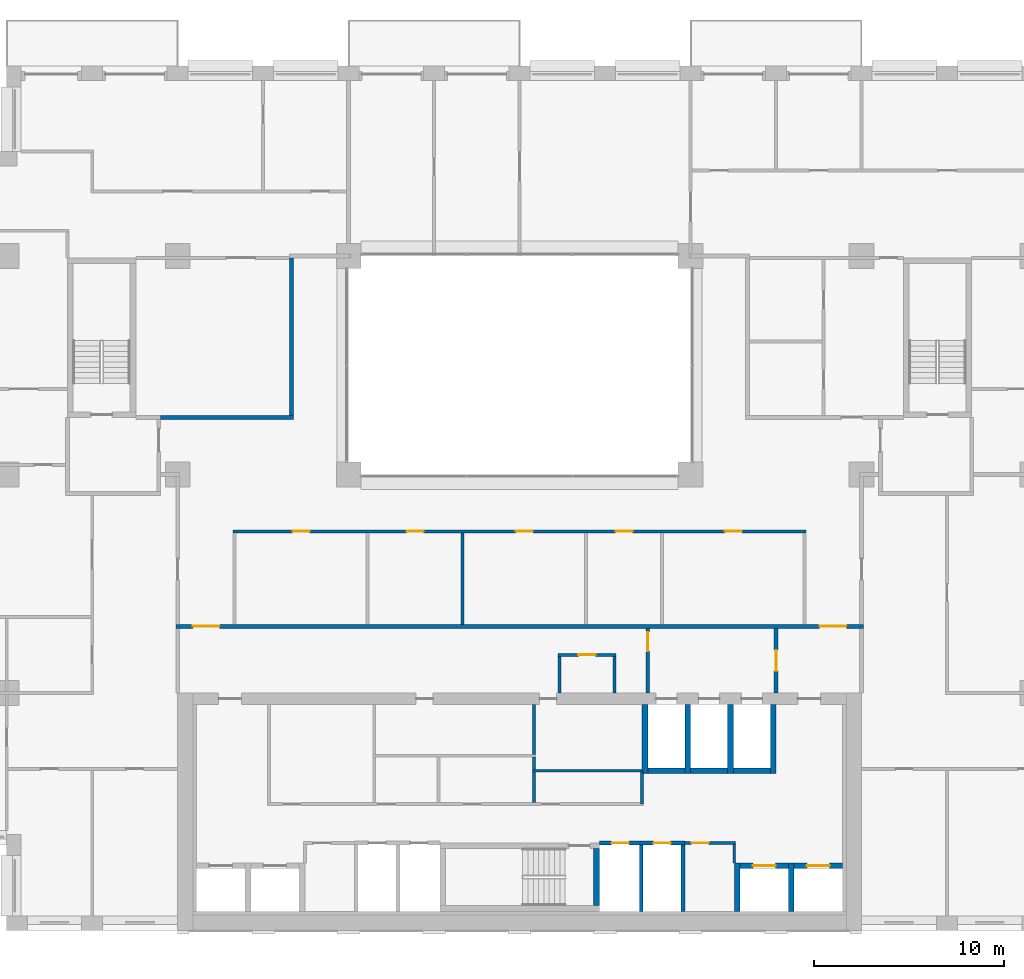
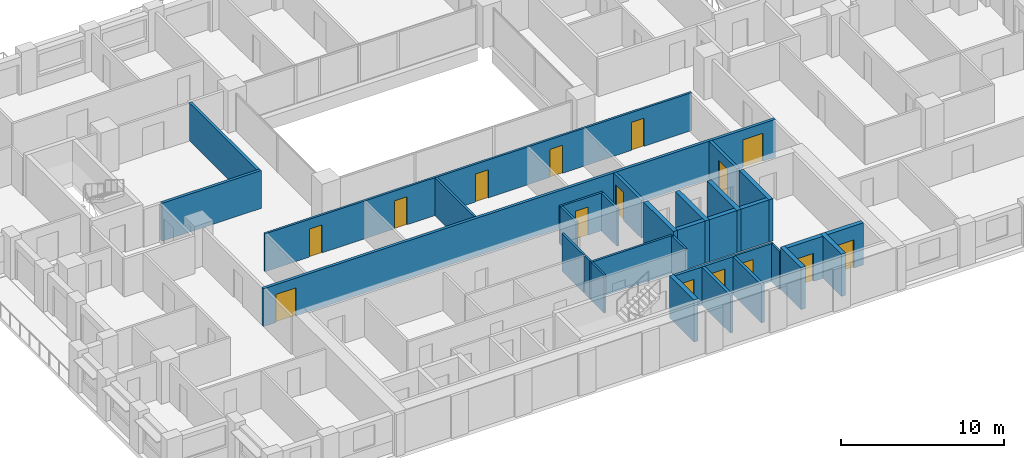
# One storey, part 10 of 16: 32 walls, 15 doors, 15 openings.
"""IFC4 building model written with IfcOpenShell, lengths in metres."""

from ifc_helpers import new_model, si_unit, direction, frame, frame_2d, origin, place, context, subcontext, project, spatial, rectangle, extrude, material, layer, layer_set, type_object, element, fill, save


model = new_model("IFC4")

# Units and contexts
model_context = context("Model", 3, precision=1e-05, world=origin(), true_north=direction((0.0, 1.0)))
body_context = subcontext(model_context, "Body", "Model", "MODEL_VIEW")
ifc_project = project(units=[si_unit("LENGTHUNIT", "METRE"), si_unit("AREAUNIT", "SQUARE_METRE"), si_unit("VOLUMEUNIT", "CUBIC_METRE"), si_unit("PLANEANGLEUNIT", "RADIAN"), si_unit("MASSUNIT", "GRAM", prefix="KILO")], contexts=[model_context])

# Site, building, storey
site_placement = place(None, origin())
site = spatial("IfcSite", under=ifc_project, at=site_placement, CompositionType="ELEMENT")
building_placement = place(site_placement, origin())
building = spatial("IfcBuilding", under=site, at=building_placement, Name="Brigalow Station Residences", CompositionType="ELEMENT")
storey_placement = place(building_placement, frame((0.0, 0.0, 121.35009765625)))
storey = spatial("IfcBuildingStorey", under=building, at=storey_placement, Name="L35", CompositionType="ELEMENT", Elevation=121.35009765625)

# Walls
ifc_material_1 = material(Name="Concrete C65", Category="concrete")
ifc_layer_1 = layer(ifc_material_1, 0.300048828125)
ifc_layer_set_1 = layer_set([ifc_layer_1], Name="CORE SHEAR WALL 300 C65")
wall_type_1 = type_object("IfcWallType", Name="CORE SHEAR WALL 300 C65", PredefinedType="SHEAR", material=ifc_layer_set_1)
wall_1_placement = place(storey_placement, frame((42.75, 8.39990234375, 0.0), z_axis=(0.0, 0.0, 1.0), x_axis=(1.0, 0.0, 0.0)))
element("IfcWall", 1, at=wall_1_placement, inside=storey, type_object=wall_type_1, Name="CORE WALL SH-FF1-S L35", PredefinedType="SHEAR", context=body_context, shape_type="SweptSolid", body=[
    extrude(rectangle(XDim=1.949951171875, YDim=0.300048828125, at=frame_2d((0.97509765625, 0.0))), origin(), (0.0, 0.0, 1.0), 3.14990234375),
])
wall_2_placement = place(storey_placement, frame((42.60009765625, 8.25, 0.0), z_axis=(0.0, 0.0, 1.0), x_axis=(0.0, 1.0, 0.0)))
element("IfcWall", 2, at=wall_2_placement, inside=storey, type_object=wall_type_1, Name="CORE WALL SH-FF1-W L35", PredefinedType="SHEAR", context=body_context, shape_type="SweptSolid", body=[
    extrude(rectangle(XDim=3.64990234375, YDim=0.300048828125, at=frame_2d((1.824951171875, 0.0))), origin(), (0.0, 0.0, 1.0), 3.14990234375),
])
wall_3_placement = place(storey_placement, frame((45.0, 8.39990234375, 0.0), z_axis=(0.0, 0.0, 1.0), x_axis=(1.0, 0.0, 0.0)))
element("IfcWall", 3, at=wall_3_placement, inside=storey, type_object=wall_type_1, Name="CORE WALL SH-FF2-S L35", PredefinedType="SHEAR", context=body_context, shape_type="SweptSolid", body=[
    extrude(rectangle(XDim=1.949951171875, YDim=0.300048828125, at=frame_2d((0.97509765625, 0.0))), origin(), (0.0, 0.0, 1.0), 3.14990234375),
])
wall_4_placement = place(storey_placement, frame((44.85009765625, 8.25, 0.0), z_axis=(0.0, 0.0, 1.0), x_axis=(0.0, 1.0, 0.0)))
element("IfcWall", 4, at=wall_4_placement, inside=storey, type_object=wall_type_1, Name="CORE WALL SH-FF2-W L35", PredefinedType="SHEAR", context=body_context, shape_type="SweptSolid", body=[
    extrude(rectangle(XDim=3.64990234375, YDim=0.300048828125, at=frame_2d((1.824951171875, 0.0))), origin(), (0.0, 0.0, 1.0), 3.14990234375),
])
wall_5_placement = place(storey_placement, frame((47.25, 8.39990234375, 0.0), z_axis=(0.0, 0.0, 1.0), x_axis=(1.0, 0.0, 0.0)))
element("IfcWall", 5, at=wall_5_placement, inside=storey, type_object=wall_type_1, Name="CORE WALL SH-SL1-S L35", PredefinedType="SHEAR", context=body_context, shape_type="SweptSolid", body=[
    extrude(rectangle(XDim=1.949951171875, YDim=0.300048828125, at=frame_2d((0.97509765625, 0.0))), origin(), (0.0, 0.0, 1.0), 3.14990234375),
])
for number, where, z_axis, x_axis, name in (
    (6, (47.10009765625, 8.25, 0.0), (0.0, 0.0, 1.0), (0.0, 1.0, 0.0), "CORE WALL SH-SL1-W L35"),
    (7, (49.35009765625, 8.25, 0.0), (0.0, 0.0, 1.0), (0.0, 1.0, 0.0), "CORE WALL SH-SL1-E L35"),
):
    element("IfcWall", number, at=place(storey_placement, frame(where, z_axis=z_axis, x_axis=x_axis)), inside=storey, type_object=wall_type_1, Name=name, PredefinedType="SHEAR", context=body_context, shape_type="SweptSolid", body=[
        extrude(rectangle(XDim=3.64990234375, YDim=0.300048828125, at=frame_2d((1.824951171875, 0.0))), origin(), (0.0, 0.0, 1.0), 3.14990234375),
    ])

# Wall, opening, door
wall_6_placement = place(storey_placement, frame((47.60009765625, 3.39990234375, 0.0), z_axis=(0.0, 0.0, 1.0), x_axis=(1.0, 0.0, 0.0)))
wall_6 = element("IfcWall", 8, at=wall_6_placement, inside=storey, type_object=wall_type_1, Name="CORE WALL SH-C3-N L35", PredefinedType="SHEAR", context=body_context, shape_type="SweptSolid", body=[
    extrude(rectangle(XDim=2.5498046875, YDim=0.300048828125, at=frame_2d((1.27490234375, 0.0))), origin(), (0.0, 0.0, 1.0), 3.14990234375),
])
opening_1_placement = place(wall_6_placement, frame((0.675048828125, 0.0, 0.0)))
opening_1 = element("IfcOpeningElement", 9, at=opening_1_placement, cuts=wall_6, Name="Opening LD-LB3", PredefinedType="OPENING", context=body_context, shape_type="SweptSolid", body=[
    extrude(rectangle(XDim=1.199951171875, YDim=2.10009765625, at=frame_2d((0.60009765625, 1.050048828125))), frame((0.0, 0.16015625, 0.0), z_axis=(0.0, -1.0, 0.0), x_axis=(1.0, 0.0, 0.0)), (0.0, 0.0, 1.0), 0.320068359375),
])
ifc_material_2 = material(Name="Stainless steel sliding door leaves", Category="steel")
door_type_1 = type_object("IfcDoorType", Name="LIFT LANDING DOOR 1200 x 2100", OperationType="DOUBLE_DOOR_SLIDING", PredefinedType="DOOR", material=ifc_material_2)
door_1_placement = place(opening_1_placement, origin())
door_1 = element("IfcDoor", 10, at=door_1_placement, inside=storey, type_object=door_type_1, Name="LANDING DOOR LB3", OperationType="DOUBLE_DOOR_SLIDING", OverallHeight=2.10009765625, OverallWidth=1.199951171875, PredefinedType="DOOR", context=body_context, shape_type="SweptSolid", body=[
    extrude(rectangle(XDim=1.199951171875, YDim=2.10009765625, at=frame_2d((0.60009765625, 1.050048828125))), frame((0.0, 0.02490234375, 0.0), z_axis=(0.0, -1.0, 0.0), x_axis=(1.0, 0.0, 0.0)), (0.0, 0.0, 1.0), 0.050048828125),
])
fill(opening_1, door_1)

# Wall
wall_7_placement = place(storey_placement, frame((47.449951171875, 1.0, 0.0), z_axis=(0.0, 0.0, 1.0), x_axis=(0.0, 1.0, 0.0)))
element("IfcWall", 11, at=wall_7_placement, inside=storey, type_object=wall_type_1, Name="CORE WALL SH-C3-W L35", PredefinedType="SHEAR", context=body_context, shape_type="SweptSolid", body=[
    extrude(rectangle(XDim=2.550048828125, YDim=0.300048828125, at=frame_2d((1.27490234375, 0.0))), origin(), (0.0, 0.0, 1.0), 3.14990234375),
])

# Wall, opening, door
wall_8_placement = place(storey_placement, frame((50.449951171875, 3.39990234375, 0.0), z_axis=(0.0, 0.0, 1.0), x_axis=(1.0, 0.0, 0.0)))
wall_8 = element("IfcWall", 12, at=wall_8_placement, inside=storey, type_object=wall_type_1, Name="CORE WALL SH-C4-N L35", PredefinedType="SHEAR", context=body_context, shape_type="SweptSolid", body=[
    extrude(rectangle(XDim=2.550048828125, YDim=0.300048828125, at=frame_2d((1.27490234375, 0.0))), origin(), (0.0, 0.0, 1.0), 3.14990234375),
])
opening_2_placement = place(wall_8_placement, frame((0.675048828125, 0.0, 0.0)))
opening_2 = element("IfcOpeningElement", 13, at=opening_2_placement, cuts=wall_8, Name="Opening LD-LB4", PredefinedType="OPENING", context=body_context, shape_type="SweptSolid", body=[
    extrude(rectangle(XDim=1.199951171875, YDim=2.10009765625, at=frame_2d((0.60009765625, 1.050048828125))), frame((0.0, 0.16015625, 0.0), z_axis=(0.0, -1.0, 0.0), x_axis=(1.0, 0.0, 0.0)), (0.0, 0.0, 1.0), 0.320068359375),
])
door_2_placement = place(opening_2_placement, origin())
door_2 = element("IfcDoor", 14, at=door_2_placement, inside=storey, type_object=door_type_1, Name="LANDING DOOR LB4", OperationType="DOUBLE_DOOR_SLIDING", OverallHeight=2.10009765625, OverallWidth=1.199951171875, PredefinedType="DOOR", context=body_context, shape_type="SweptSolid", body=[
    extrude(rectangle(XDim=1.199951171875, YDim=2.10009765625, at=frame_2d((0.60009765625, 1.050048828125))), frame((0.0, 0.02490234375, 0.0), z_axis=(0.0, -1.0, 0.0), x_axis=(1.0, 0.0, 0.0)), (0.0, 0.0, 1.0), 0.050048828125),
])
fill(opening_2, door_2)

# Walls
wall_9_placement = place(storey_placement, frame((50.300048828125, 1.0, 0.0), z_axis=(0.0, 0.0, 1.0), x_axis=(0.0, 1.0, 0.0)))
element("IfcWall", 15, at=wall_9_placement, inside=storey, type_object=wall_type_1, Name="CORE WALL SH-C4-W L35", PredefinedType="SHEAR", context=body_context, shape_type="SweptSolid", body=[
    extrude(rectangle(XDim=2.550048828125, YDim=0.300048828125, at=frame_2d((1.27490234375, 0.0))), origin(), (0.0, 0.0, 1.0), 3.14990234375),
])
wall_10_placement = place(storey_placement, frame((40.050048828125, 1.300048828125, 0.0), z_axis=(0.0, 0.0, 1.0), x_axis=(0.0, 1.0, 0.0)))
element("IfcWall", 16, at=wall_10_placement, inside=storey, type_object=wall_type_1, Name="CORE WALL ST-S2-E L35", PredefinedType="SHEAR", context=body_context, shape_type="SweptSolid", body=[
    extrude(rectangle(XDim=3.0, YDim=0.300048828125, at=frame_2d((1.5, 0.0))), origin(), (0.0, 0.0, 1.0), 3.14990234375),
])

# Wall, openings, doors
ifc_material_3 = material(Name="Concrete blockwork", Category="masonry")
ifc_layer_2 = layer(ifc_material_3, 0.199951171875)
ifc_layer_set_2 = layer_set([ifc_layer_2], Name="FIRE RATED CORE PARTITION 200")
wall_type_2 = type_object("IfcWallType", Name="FIRE RATED CORE PARTITION 200", PredefinedType="PARTITIONING", material=ifc_layer_set_2)
wall_11_placement = place(storey_placement, frame((40.199951171875, 4.60009765625, 0.0), z_axis=(0.0, 0.0, 1.0), x_axis=(1.0, 0.0, 0.0)))
wall_11 = element("IfcWall", 17, at=wall_11_placement, inside=storey, type_object=wall_type_2, Name="PW-5018", PredefinedType="PARTITIONING", context=body_context, shape_type="SweptSolid", body=[
    extrude(rectangle(XDim=4.5, YDim=0.199951171875, at=frame_2d((2.25, 0.0))), origin(), (0.0, 0.0, 1.0), 2.829833984375),
])
opening_3_placement = place(wall_11_placement, frame((0.64990234375, 0.0, 0.0)))
opening_3 = element("IfcOpeningElement", 18, at=opening_3_placement, cuts=wall_11, Name="Opening D-5009", PredefinedType="OPENING", context=body_context, shape_type="SweptSolid", body=[
    extrude(rectangle(XDim=0.89990234375, YDim=2.10009765625, at=frame_2d((0.449951171875, 1.050048828125))), frame((0.0, 0.10986328125, 0.0), z_axis=(0.0, -1.0, 0.0), x_axis=(1.0, 0.0, 0.0)), (0.0, 0.0, 1.0), 0.219970703125),
])
opening_4_placement = place(wall_11_placement, frame((2.85009765625, 0.0, 0.0)))
opening_4 = element("IfcOpeningElement", 19, at=opening_4_placement, cuts=wall_11, Name="Opening D-5010", PredefinedType="OPENING", context=body_context, shape_type="SweptSolid", body=[
    extrude(rectangle(XDim=0.89990234375, YDim=2.10009765625, at=frame_2d((0.449951171875, 1.050048828125))), frame((0.0, 0.10986328125, 0.0), z_axis=(0.0, -1.0, 0.0), x_axis=(1.0, 0.0, 0.0)), (0.0, 0.0, 1.0), 0.219970703125),
])
ifc_material_4 = material(Name="Steel fire door leaf in steel frame", Category="steel")
door_type_2 = type_object("IfcDoorType", Name="RISER ACCESS DOOR 900 x 2100 FD120", OperationType="SINGLE_SWING_LEFT", PredefinedType="DOOR", material=ifc_material_4)
door_3_placement = place(opening_3_placement, frame((0.89990234375, 0.0, 0.0), z_axis=(0.0, 0.0, 1.0), x_axis=(-1.0, 0.0, 0.0)))
door_3 = element("IfcDoor", 20, at=door_3_placement, inside=storey, type_object=door_type_2, Name="D-5009", OperationType="SINGLE_SWING_LEFT", OverallHeight=2.10009765625, OverallWidth=0.89990234375, PredefinedType="DOOR", context=body_context, shape_type="SweptSolid", body=[
    extrude(rectangle(XDim=0.89990234375, YDim=2.10009765625, at=frame_2d((0.449951171875, 1.050048828125))), frame((0.0, 0.02490234375, 0.0), z_axis=(0.0, -1.0, 0.0), x_axis=(1.0, 0.0, 0.0)), (0.0, 0.0, 1.0), 0.050048828125),
])
fill(opening_3, door_3)
door_4_placement = place(opening_4_placement, frame((0.89990234375, 0.0, 0.0), z_axis=(0.0, 0.0, 1.0), x_axis=(-1.0, 0.0, 0.0)))
door_4 = element("IfcDoor", 21, at=door_4_placement, inside=storey, type_object=door_type_2, Name="D-5010", OperationType="SINGLE_SWING_LEFT", OverallHeight=2.10009765625, OverallWidth=0.89990234375, PredefinedType="DOOR", context=body_context, shape_type="SweptSolid", body=[
    extrude(rectangle(XDim=0.89990234375, YDim=2.10009765625, at=frame_2d((0.449951171875, 1.050048828125))), frame((0.0, 0.02490234375, 0.0), z_axis=(0.0, -1.0, 0.0), x_axis=(1.0, 0.0, 0.0)), (0.0, 0.0, 1.0), 0.050048828125),
])
fill(opening_4, door_4)

# Walls
for number, where, z_axis, x_axis, name in (
    (22, (42.39990234375, 1.0, 0.0), (0.0, 0.0, 1.0), (0.0, 1.0, 0.0), "PW-5007"),
    (23, (44.60009765625, 1.0, 0.0), (0.0, 0.0, 1.0), (0.0, 1.0, 0.0), "PW-5008"),
):
    element("IfcWall", number, at=place(storey_placement, frame(where, z_axis=z_axis, x_axis=x_axis)), inside=storey, type_object=wall_type_2, Name=name, PredefinedType="PARTITIONING", context=body_context, shape_type="SweptSolid", body=[
        extrude(rectangle(XDim=3.5, YDim=0.199951171875, at=frame_2d((1.75, 0.0))), origin(), (0.0, 0.0, 1.0), 2.829833984375),
    ])

# Wall, opening, door
wall_12_placement = place(storey_placement, frame((42.75, 12.5, 0.0), z_axis=(0.0, 0.0, 1.0), x_axis=(0.0, 1.0, 0.0)))
wall_12 = element("IfcWall", 24, at=wall_12_placement, inside=storey, type_object=wall_type_2, Name="PW-5014", PredefinedType="PARTITIONING", context=body_context, shape_type="SweptSolid", body=[
    extrude(rectangle(XDim=3.39990234375, YDim=0.199951171875, at=frame_2d((1.699951171875, 0.0))), origin(), (0.0, 0.0, 1.0), 2.829833984375),
])
opening_5_placement = place(wall_12_placement, frame((2.199951171875, 0.0, 0.0)))
opening_5 = element("IfcOpeningElement", 25, at=opening_5_placement, cuts=wall_12, Name="Opening D-5013", PredefinedType="OPENING", context=body_context, shape_type="SweptSolid", body=[
    extrude(rectangle(XDim=1.0, YDim=2.10009765625, at=frame_2d((0.5, 1.050048828125))), frame((0.0, 0.10986328125, 0.0), z_axis=(0.0, -1.0, 0.0), x_axis=(1.0, 0.0, 0.0)), (0.0, 0.0, 1.0), 0.219970703125),
])
ifc_material_5 = material(Name="Steel fire door leaf in steel frame", Category="steel")
door_type_3 = type_object("IfcDoorType", Name="LOBBY DOOR 1000 x 2100 FD60S", OperationType="SINGLE_SWING_LEFT", PredefinedType="DOOR", material=ifc_material_5)
door_5_placement = place(opening_5_placement, origin())
door_5 = element("IfcDoor", 26, at=door_5_placement, inside=storey, type_object=door_type_3, Name="D-5013", OperationType="SINGLE_SWING_RIGHT", OverallHeight=2.10009765625, OverallWidth=1.0, PredefinedType="DOOR", context=body_context, shape_type="SweptSolid", body=[
    extrude(rectangle(XDim=1.0, YDim=2.10009765625, at=frame_2d((0.5, 1.050048828125))), frame((0.0, 0.02490234375, 0.0), z_axis=(0.0, -1.0, 0.0), x_axis=(1.0, 0.0, 0.0)), (0.0, 0.0, 1.0), 0.050048828125),
])
fill(opening_5, door_5)

wall_13_placement = place(storey_placement, frame((49.5, 12.5, 0.0), z_axis=(0.0, 0.0, 1.0), x_axis=(0.0, 1.0, 0.0)))
wall_13 = element("IfcWall", 27, at=wall_13_placement, inside=storey, type_object=wall_type_2, Name="PW-5015", PredefinedType="PARTITIONING", context=body_context, shape_type="SweptSolid", body=[
    extrude(rectangle(XDim=3.39990234375, YDim=0.199951171875, at=frame_2d((1.699951171875, 0.0))), origin(), (0.0, 0.0, 1.0), 2.829833984375),
])
opening_6_placement = place(wall_13_placement, frame((1.14990234375, 0.0, 0.0)))
opening_6 = element("IfcOpeningElement", 28, at=opening_6_placement, cuts=wall_13, Name="Opening D-5014", PredefinedType="OPENING", context=body_context, shape_type="SweptSolid", body=[
    extrude(rectangle(XDim=1.10009765625, YDim=2.10009765625, at=frame_2d((0.550048828125, 1.050048828125))), frame((0.0, 0.10986328125, 0.0), z_axis=(0.0, -1.0, 0.0), x_axis=(1.0, 0.0, 0.0)), (0.0, 0.0, 1.0), 0.219970703125),
])
ifc_material_6 = material(Name="Steel fire door leaf in steel frame", Category="steel")
door_type_4 = type_object("IfcDoorType", Name="LOBBY DOOR 1100 x 2100 FD60S", OperationType="SINGLE_SWING_LEFT", PredefinedType="DOOR", material=ifc_material_6)
door_6_placement = place(opening_6_placement, origin())
door_6 = element("IfcDoor", 29, at=door_6_placement, inside=storey, type_object=door_type_4, Name="D-5014", OperationType="SINGLE_SWING_LEFT", OverallHeight=2.10009765625, OverallWidth=1.10009765625, PredefinedType="DOOR", context=body_context, shape_type="SweptSolid", body=[
    extrude(rectangle(XDim=1.10009765625, YDim=2.10009765625, at=frame_2d((0.550048828125, 1.050048828125))), frame((0.0, 0.02490234375, 0.0), z_axis=(0.0, -1.0, 0.0), x_axis=(1.0, 0.0, 0.0)), (0.0, 0.0, 1.0), 0.050048828125),
])
fill(opening_6, door_6)

# Wall, openings, doors
ifc_material_7 = material(Name="Plasterboard on steel stud partition", Category="steel")
ifc_layer_3 = layer(ifc_material_7, 0.14990234375)
ifc_layer_set_3 = layer_set([ifc_layer_3], Name="FLAT PARTITION 150")
wall_type_3 = type_object("IfcWallType", Name="FLAT PARTITION 150", PredefinedType="PARTITIONING", material=ifc_layer_set_3)
wall_14_placement = place(storey_placement, frame((20.925048828125, 21.0, 0.0), z_axis=(0.0, 0.0, 1.0), x_axis=(1.0, 0.0, 0.0)))
wall_14 = element("IfcWall", 30, at=wall_14_placement, inside=storey, type_object=wall_type_3, Name="PW-2E01", PredefinedType="PARTITIONING", context=body_context, shape_type="SweptSolid", body=[
    extrude(rectangle(XDim=30.14990234375, YDim=0.14990234375, at=frame_2d((15.074951171875, 0.0))), origin(), (0.0, 0.0, 1.0), 2.829833984375),
])
opening_7_placement = place(wall_14_placement, frame((3.125, 0.0, 0.0)))
opening_7 = element("IfcOpeningElement", 31, at=opening_7_placement, cuts=wall_14, Name="Opening D-2E45", PredefinedType="OPENING", context=body_context, shape_type="SweptSolid", body=[
    extrude(rectangle(XDim=0.89990234375, YDim=2.10009765625, at=frame_2d((0.449951171875, 1.050048828125))), frame((0.0, 0.0849609375, 0.0), z_axis=(0.0, -1.0, 0.0), x_axis=(1.0, 0.0, 0.0)), (0.0, 0.0, 1.0), 0.169921875),
])
opening_8_placement = place(wall_14_placement, frame((9.125, 0.0, 0.0)))
opening_8 = element("IfcOpeningElement", 32, at=opening_8_placement, cuts=wall_14, Name="Opening D-2E46", PredefinedType="OPENING", context=body_context, shape_type="SweptSolid", body=[
    extrude(rectangle(XDim=0.89990234375, YDim=2.10009765625, at=frame_2d((0.449951171875, 1.050048828125))), frame((0.0, 0.0849609375, 0.0), z_axis=(0.0, -1.0, 0.0), x_axis=(1.0, 0.0, 0.0)), (0.0, 0.0, 1.0), 0.169921875),
])
opening_9_placement = place(wall_14_placement, frame((14.875, 0.0, 0.0)))
opening_9 = element("IfcOpeningElement", 33, at=opening_9_placement, cuts=wall_14, Name="Opening D-2E47", PredefinedType="OPENING", context=body_context, shape_type="SweptSolid", body=[
    extrude(rectangle(XDim=0.89990234375, YDim=2.10009765625, at=frame_2d((0.449951171875, 1.050048828125))), frame((0.0, 0.0849609375, 0.0), z_axis=(0.0, -1.0, 0.0), x_axis=(1.0, 0.0, 0.0)), (0.0, 0.0, 1.0), 0.169921875),
])
opening_10_placement = place(wall_14_placement, frame((20.125, 0.0, 0.0)))
opening_10 = element("IfcOpeningElement", 34, at=opening_10_placement, cuts=wall_14, Name="Opening D-2E48", PredefinedType="OPENING", context=body_context, shape_type="SweptSolid", body=[
    extrude(rectangle(XDim=0.89990234375, YDim=2.10009765625, at=frame_2d((0.449951171875, 1.050048828125))), frame((0.0, 0.0849609375, 0.0), z_axis=(0.0, -1.0, 0.0), x_axis=(1.0, 0.0, 0.0)), (0.0, 0.0, 1.0), 0.169921875),
])
opening_11_placement = place(wall_14_placement, frame((25.875, 0.0, 0.0)))
opening_11 = element("IfcOpeningElement", 35, at=opening_11_placement, cuts=wall_14, Name="Opening D-2E49", PredefinedType="OPENING", context=body_context, shape_type="SweptSolid", body=[
    extrude(rectangle(XDim=0.89990234375, YDim=2.10009765625, at=frame_2d((0.449951171875, 1.050048828125))), frame((0.0, 0.0849609375, 0.0), z_axis=(0.0, -1.0, 0.0), x_axis=(1.0, 0.0, 0.0)), (0.0, 0.0, 1.0), 0.169921875),
])
ifc_material_8 = material(Name="Solid-core timber door leaf", Category="wood")
door_type_5 = type_object("IfcDoorType", Name="INTERNAL DOOR 900 x 2100", OperationType="SINGLE_SWING_LEFT", PredefinedType="DOOR", material=ifc_material_8)
door_7_placement = place(opening_7_placement, frame((0.89990234375, 0.0, 0.0), z_axis=(0.0, 0.0, 1.0), x_axis=(-1.0, 0.0, 0.0)))
door_7 = element("IfcDoor", 36, at=door_7_placement, inside=storey, type_object=door_type_5, Name="D-2E45", OperationType="SINGLE_SWING_RIGHT", OverallHeight=2.10009765625, OverallWidth=0.89990234375, PredefinedType="DOOR", context=body_context, shape_type="SweptSolid", body=[
    extrude(rectangle(XDim=0.89990234375, YDim=2.10009765625, at=frame_2d((0.449951171875, 1.050048828125))), frame((0.0, 0.02490234375, 0.0), z_axis=(0.0, -1.0, 0.0), x_axis=(1.0, 0.0, 0.0)), (0.0, 0.0, 1.0), 0.050048828125),
])
fill(opening_7, door_7)
door_8_placement = place(opening_8_placement, frame((0.89990234375, 0.0, 0.0), z_axis=(0.0, 0.0, 1.0), x_axis=(-1.0, 0.0, 0.0)))
door_8 = element("IfcDoor", 37, at=door_8_placement, inside=storey, type_object=door_type_5, Name="D-2E46", OperationType="SINGLE_SWING_RIGHT", OverallHeight=2.10009765625, OverallWidth=0.89990234375, PredefinedType="DOOR", context=body_context, shape_type="SweptSolid", body=[
    extrude(rectangle(XDim=0.89990234375, YDim=2.10009765625, at=frame_2d((0.449951171875, 1.050048828125))), frame((0.0, 0.02490234375, 0.0), z_axis=(0.0, -1.0, 0.0), x_axis=(1.0, 0.0, 0.0)), (0.0, 0.0, 1.0), 0.050048828125),
])
fill(opening_8, door_8)
door_9_placement = place(opening_9_placement, frame((0.89990234375, 0.0, 0.0), z_axis=(0.0, 0.0, 1.0), x_axis=(-1.0, 0.0, 0.0)))
door_9 = element("IfcDoor", 38, at=door_9_placement, inside=storey, type_object=door_type_5, Name="D-2E47", OperationType="SINGLE_SWING_RIGHT", OverallHeight=2.10009765625, OverallWidth=0.89990234375, PredefinedType="DOOR", context=body_context, shape_type="SweptSolid", body=[
    extrude(rectangle(XDim=0.89990234375, YDim=2.10009765625, at=frame_2d((0.449951171875, 1.050048828125))), frame((0.0, 0.02490234375, 0.0), z_axis=(0.0, -1.0, 0.0), x_axis=(1.0, 0.0, 0.0)), (0.0, 0.0, 1.0), 0.050048828125),
])
fill(opening_9, door_9)
door_10_placement = place(opening_10_placement, frame((0.89990234375, 0.0, 0.0), z_axis=(0.0, 0.0, 1.0), x_axis=(-1.0, 0.0, 0.0)))
door_10 = element("IfcDoor", 39, at=door_10_placement, inside=storey, type_object=door_type_5, Name="D-2E48", OperationType="SINGLE_SWING_LEFT", OverallHeight=2.10009765625, OverallWidth=0.89990234375, PredefinedType="DOOR", context=body_context, shape_type="SweptSolid", body=[
    extrude(rectangle(XDim=0.89990234375, YDim=2.10009765625, at=frame_2d((0.449951171875, 1.050048828125))), frame((0.0, 0.02490234375, 0.0), z_axis=(0.0, -1.0, 0.0), x_axis=(1.0, 0.0, 0.0)), (0.0, 0.0, 1.0), 0.050048828125),
])
fill(opening_10, door_10)
door_11_placement = place(opening_11_placement, frame((0.89990234375, 0.0, 0.0), z_axis=(0.0, 0.0, 1.0), x_axis=(-1.0, 0.0, 0.0)))
door_11 = element("IfcDoor", 40, at=door_11_placement, inside=storey, type_object=door_type_5, Name="D-2E49", OperationType="SINGLE_SWING_LEFT", OverallHeight=2.10009765625, OverallWidth=0.89990234375, PredefinedType="DOOR", context=body_context, shape_type="SweptSolid", body=[
    extrude(rectangle(XDim=0.89990234375, YDim=2.10009765625, at=frame_2d((0.449951171875, 1.050048828125))), frame((0.0, 0.02490234375, 0.0), z_axis=(0.0, -1.0, 0.0), x_axis=(1.0, 0.0, 0.0)), (0.0, 0.0, 1.0), 0.050048828125),
])
fill(opening_11, door_11)

# Walls
wall_15_placement = place(storey_placement, frame((33.0, 16.10009765625, 0.0), z_axis=(0.0, 0.0, 1.0), x_axis=(0.0, 1.0, 0.0)))
element("IfcWall", 41, at=wall_15_placement, inside=storey, type_object=wall_type_3, Name="PW-2E67", PredefinedType="PARTITIONING", context=body_context, shape_type="SweptSolid", body=[
    extrude(rectangle(XDim=4.824951171875, YDim=0.14990234375, at=frame_2d((2.41259765625, 0.0))), origin(), (0.0, 0.0, 1.0), 2.829833984375),
])
ifc_material_9 = material(Name="Plasterboard on steel stud partition", Category="steel")
ifc_layer_4 = layer(ifc_material_9, 0.199951171875)
ifc_layer_set_4 = layer_set([ifc_layer_4], Name="PARTY AND CORRIDOR WALL 200")
wall_type_4 = type_object("IfcWallType", Name="PARTY AND CORRIDOR WALL 200", PredefinedType="PARTITIONING", material=ifc_layer_set_4)
wall_16_placement = place(storey_placement, frame((17.10009765625, 27.0, 0.0), z_axis=(0.0, 0.0, 1.0), x_axis=(1.0, 0.0, 0.0)))
element("IfcWall", 42, at=wall_16_placement, inside=storey, type_object=wall_type_4, Name="PW-2E05", PredefinedType="PARTITIONING", context=body_context, shape_type="SweptSolid", body=[
    extrude(rectangle(XDim=7.0, YDim=0.199951171875, at=frame_2d((3.5, 0.0))), origin(), (0.0, 0.0, 1.0), 2.829833984375),
])

# Wall, openings, doors
wall_17_placement = place(storey_placement, frame((17.89990234375, 16.0, 0.0), z_axis=(0.0, 0.0, 1.0), x_axis=(1.0, 0.0, 0.0)))
wall_17 = element("IfcWall", 43, at=wall_17_placement, inside=storey, type_object=wall_type_4, Name="PW-2E34", PredefinedType="PARTITIONING", context=body_context, shape_type="SweptSolid", body=[
    extrude(rectangle(XDim=36.2001953125, YDim=0.199951171875, at=frame_2d((18.10009765625, 0.0))), origin(), (0.0, 0.0, 1.0), 2.829833984375),
])
opening_12_placement = place(wall_17_placement, frame((0.89990234375, 0.0, 0.0)))
opening_12 = element("IfcOpeningElement", 44, at=opening_12_placement, cuts=wall_17, Name="Opening D-2E01", PredefinedType="OPENING", context=body_context, shape_type="SweptSolid", body=[
    extrude(rectangle(XDim=1.39990234375, YDim=2.10009765625, at=frame_2d((0.699951171875, 1.050048828125))), frame((0.0, 0.10986328125, 0.0), z_axis=(0.0, -1.0, 0.0), x_axis=(1.0, 0.0, 0.0)), (0.0, 0.0, 1.0), 0.219970703125),
])
opening_13_placement = place(wall_17_placement, frame((33.89990234375, 0.0, 0.0)))
opening_13 = element("IfcOpeningElement", 45, at=opening_13_placement, cuts=wall_17, Name="Opening D-2E02", PredefinedType="OPENING", context=body_context, shape_type="SweptSolid", body=[
    extrude(rectangle(XDim=1.39990234375, YDim=2.10009765625, at=frame_2d((0.699951171875, 1.050048828125))), frame((0.0, 0.10986328125, 0.0), z_axis=(0.0, -1.0, 0.0), x_axis=(1.0, 0.0, 0.0)), (0.0, 0.0, 1.0), 0.219970703125),
])
ifc_material_10 = material(Name="Solid-core timber door leaf", Category="wood")
door_type_6 = type_object("IfcDoorType", Name="CORRIDOR FIRE DOOR 1400 x 2100 FRL -/60/30", OperationType="DOUBLE_DOOR_SINGLE_SWING", PredefinedType="DOOR", material=ifc_material_10)
door_12_placement = place(opening_12_placement, frame((1.39990234375, 0.0, 0.0), z_axis=(0.0, 0.0, 1.0), x_axis=(-1.0, 0.0, 0.0)))
door_12 = element("IfcDoor", 46, at=door_12_placement, inside=storey, type_object=door_type_6, Name="D-2E01", OperationType="DOUBLE_DOOR_SINGLE_SWING", OverallHeight=2.10009765625, OverallWidth=1.39990234375, PredefinedType="DOOR", context=body_context, shape_type="SweptSolid", body=[
    extrude(rectangle(XDim=1.39990234375, YDim=2.10009765625, at=frame_2d((0.699951171875, 1.050048828125))), frame((0.0, 0.02490234375, 0.0), z_axis=(0.0, -1.0, 0.0), x_axis=(1.0, 0.0, 0.0)), (0.0, 0.0, 1.0), 0.050048828125),
])
fill(opening_12, door_12)
door_13_placement = place(opening_13_placement, frame((1.39990234375, 0.0, 0.0), z_axis=(0.0, 0.0, 1.0), x_axis=(-1.0, 0.0, 0.0)))
door_13 = element("IfcDoor", 47, at=door_13_placement, inside=storey, type_object=door_type_6, Name="D-2E02", OperationType="DOUBLE_DOOR_SINGLE_SWING", OverallHeight=2.10009765625, OverallWidth=1.39990234375, PredefinedType="DOOR", context=body_context, shape_type="SweptSolid", body=[
    extrude(rectangle(XDim=1.39990234375, YDim=2.10009765625, at=frame_2d((0.699951171875, 1.050048828125))), frame((0.0, 0.02490234375, 0.0), z_axis=(0.0, -1.0, 0.0), x_axis=(1.0, 0.0, 0.0)), (0.0, 0.0, 1.0), 0.050048828125),
])
fill(opening_13, door_13)

# Wall
wall_18_placement = place(storey_placement, frame((24.0, 27.10009765625, 0.0), z_axis=(0.0, 0.0, 1.0), x_axis=(0.0, 1.0, 0.0)))
element("IfcWall", 48, at=wall_18_placement, inside=storey, type_object=wall_type_4, Name="PW-2E40", PredefinedType="PARTITIONING", context=body_context, shape_type="SweptSolid", body=[
    extrude(rectangle(XDim=8.2998046875, YDim=0.199951171875, at=frame_2d((4.14990234375, 0.0))), origin(), (0.0, 0.0, 1.0), 2.829833984375),
])

# Wall, opening, door
ifc_material_11 = material(Name="Plasterboard on steel studs", Category="steel")
ifc_layer_5 = layer(ifc_material_11, 0.14990234375)
ifc_layer_set_5 = layer_set([ifc_layer_5], Name="SERVICE ROOM PARTITION 150")
wall_type_5 = type_object("IfcWallType", Name="SERVICE ROOM PARTITION 150", PredefinedType="PARTITIONING", material=ifc_layer_set_5)
wall_19_placement = place(storey_placement, frame((44.699951171875, 4.60009765625, 0.0), z_axis=(0.0, 0.0, 1.0), x_axis=(1.0, 0.0, 0.0)))
wall_19 = element("IfcWall", 49, at=wall_19_placement, inside=storey, type_object=wall_type_5, Name="PW-5156", PredefinedType="PARTITIONING", context=body_context, shape_type="SweptSolid", body=[
    extrude(rectangle(XDim=2.675048828125, YDim=0.14990234375, at=frame_2d((1.33740234375, 0.0))), origin(), (0.0, 0.0, 1.0), 2.829833984375),
])
opening_14_placement = place(wall_19_placement, frame((0.35009765625, 0.0, 0.0)))
opening_14 = element("IfcOpeningElement", 50, at=opening_14_placement, cuts=wall_19, Name="Opening D-5026", PredefinedType="OPENING", context=body_context, shape_type="SweptSolid", body=[
    extrude(rectangle(XDim=0.89990234375, YDim=2.10009765625, at=frame_2d((0.449951171875, 1.050048828125))), frame((0.0, 0.0849609375, 0.0), z_axis=(0.0, -1.0, 0.0), x_axis=(1.0, 0.0, 0.0)), (0.0, 0.0, 1.0), 0.169921875),
])
ifc_material_12 = material(Name="Steel door leaf in steel frame", Category="steel")
door_type_7 = type_object("IfcDoorType", Name="SERVICE ROOM DOOR 900 x 2100 FD60", OperationType="SINGLE_SWING_LEFT", PredefinedType="DOOR", material=ifc_material_12)
door_14_placement = place(opening_14_placement, frame((0.89990234375, 0.0, 0.0), z_axis=(0.0, 0.0, 1.0), x_axis=(-1.0, 0.0, 0.0)))
door_14 = element("IfcDoor", 51, at=door_14_placement, inside=storey, type_object=door_type_7, Name="D-5026", OperationType="SINGLE_SWING_RIGHT", OverallHeight=2.10009765625, OverallWidth=0.89990234375, PredefinedType="DOOR", context=body_context, shape_type="SweptSolid", body=[
    extrude(rectangle(XDim=0.89990234375, YDim=2.10009765625, at=frame_2d((0.449951171875, 1.050048828125))), frame((0.0, 0.02490234375, 0.0), z_axis=(0.0, -1.0, 0.0), x_axis=(1.0, 0.0, 0.0)), (0.0, 0.0, 1.0), 0.050048828125),
])
fill(opening_14, door_14)

# Wall
wall_20_placement = place(storey_placement, frame((36.675048828125, 8.39990234375, 0.0), z_axis=(0.0, 0.0, 1.0), x_axis=(1.0, 0.0, 0.0)))
element("IfcWall", 52, at=wall_20_placement, inside=storey, type_object=wall_type_5, Name="PW-5204", PredefinedType="PARTITIONING", context=body_context, shape_type="SweptSolid", body=[
    extrude(rectangle(XDim=5.77490234375, YDim=0.14990234375, at=frame_2d((2.887451171875, 0.0))), origin(), (0.0, 0.0, 1.0), 2.829833984375),
])

# Wall, opening, door
wall_21_placement = place(storey_placement, frame((38.02490234375, 14.5, 0.0), z_axis=(0.0, 0.0, 1.0), x_axis=(1.0, 0.0, 0.0)))
wall_21 = element("IfcWall", 53, at=wall_21_placement, inside=storey, type_object=wall_type_5, Name="PW-5138", PredefinedType="PARTITIONING", context=body_context, shape_type="SweptSolid", body=[
    extrude(rectangle(XDim=3.050048828125, YDim=0.14990234375, at=frame_2d((1.52490234375, 0.0))), origin(), (0.0, 0.0, 1.0), 2.829833984375),
])
opening_15_placement = place(wall_21_placement, frame((1.074951171875, 0.0, 0.0)))
opening_15 = element("IfcOpeningElement", 54, at=opening_15_placement, cuts=wall_21, Name="Opening D-5079", PredefinedType="OPENING", context=body_context, shape_type="SweptSolid", body=[
    extrude(rectangle(XDim=0.89990234375, YDim=2.10009765625, at=frame_2d((0.449951171875, 1.050048828125))), frame((0.0, 0.0849609375, 0.0), z_axis=(0.0, -1.0, 0.0), x_axis=(1.0, 0.0, 0.0)), (0.0, 0.0, 1.0), 0.169921875),
])
door_15_placement = place(opening_15_placement, frame((0.89990234375, 0.0, 0.0), z_axis=(0.0, 0.0, 1.0), x_axis=(-1.0, 0.0, 0.0)))
door_15 = element("IfcDoor", 55, at=door_15_placement, inside=storey, type_object=door_type_7, Name="D-5079", OperationType="SINGLE_SWING_RIGHT", OverallHeight=2.10009765625, OverallWidth=0.89990234375, PredefinedType="DOOR", context=body_context, shape_type="SweptSolid", body=[
    extrude(rectangle(XDim=0.89990234375, YDim=2.10009765625, at=frame_2d((0.449951171875, 1.050048828125))), frame((0.0, 0.02490234375, 0.0), z_axis=(0.0, -1.0, 0.0), x_axis=(1.0, 0.0, 0.0)), (0.0, 0.0, 1.0), 0.050048828125),
])
fill(opening_15, door_15)

# Walls
wall_22_placement = place(storey_placement, frame((47.300048828125, 3.550048828125, 0.0), z_axis=(0.0, 0.0, 1.0), x_axis=(0.0, 1.0, 0.0)))
element("IfcWall", 56, at=wall_22_placement, inside=storey, type_object=wall_type_5, Name="PW-5158", PredefinedType="PARTITIONING", context=body_context, shape_type="SweptSolid", body=[
    extrude(rectangle(XDim=0.974853515625, YDim=0.14990234375, at=frame_2d((0.4873046875, 0.0))), origin(), (0.0, 0.0, 1.0), 2.829833984375),
])
wall_23_placement = place(storey_placement, frame((42.449951171875, 6.64990234375, 0.0), z_axis=(0.0, 0.0, 1.0), x_axis=(0.0, 1.0, 0.0)))
element("IfcWall", 57, at=wall_23_placement, inside=storey, type_object=wall_type_5, Name="PW-5206", PredefinedType="PARTITIONING", context=body_context, shape_type="SweptSolid", body=[
    extrude(rectangle(XDim=1.675048828125, YDim=0.14990234375, at=frame_2d((0.83740234375, 0.0))), origin(), (0.0, 0.0, 1.0), 2.829833984375),
])
wall_24_placement = place(storey_placement, frame((36.75, 6.72509765625, 0.0), z_axis=(0.0, 0.0, 1.0), x_axis=(0.0, 1.0, 0.0)))
element("IfcWall", 58, at=wall_24_placement, inside=storey, type_object=wall_type_5, Name="PW-5210", PredefinedType="PARTITIONING", context=body_context, shape_type="SweptSolid", body=[
    extrude(rectangle(XDim=1.599853515625, YDim=0.14990234375, at=frame_2d((0.7998046875, 0.0))), origin(), (0.0, 0.0, 1.0), 2.829833984375),
])
wall_25_placement = place(storey_placement, frame((36.75, 8.47509765625, 0.0), z_axis=(0.0, 0.0, 1.0), x_axis=(0.0, 1.0, 0.0)))
element("IfcWall", 59, at=wall_25_placement, inside=storey, type_object=wall_type_5, Name="PW-5233", PredefinedType="PARTITIONING", context=body_context, shape_type="SweptSolid", body=[
    extrude(rectangle(XDim=0.639892578125, YDim=0.14990234375, at=frame_2d((0.31982421875, 0.0))), origin(), (0.0, 0.0, 1.0), 2.829833984375),
])
wall_26_placement = place(storey_placement, frame((36.75, 9.264892578125, 0.0), z_axis=(0.0, 0.0, 1.0), x_axis=(0.0, 1.0, 0.0)))
element("IfcWall", 60, at=wall_26_placement, inside=storey, type_object=wall_type_5, Name="PW-5235", PredefinedType="PARTITIONING", context=body_context, shape_type="SweptSolid", body=[
    extrude(rectangle(XDim=2.635009765625, YDim=0.14990234375, at=frame_2d((1.3173828125, 0.0))), origin(), (0.0, 0.0, 1.0), 2.829833984375),
])
for number, where, z_axis, x_axis, name in (
    (61, (38.10009765625, 12.5, 0.0), (0.0, 0.0, 1.0), (0.0, 1.0, 0.0), "PW-5139"),
    (62, (41.0, 12.5, 0.0), (0.0, 0.0, 1.0), (0.0, 1.0, 0.0), "PW-5140"),
):
    element("IfcWall", number, at=place(storey_placement, frame(where, z_axis=z_axis, x_axis=x_axis)), inside=storey, type_object=wall_type_5, Name=name, PredefinedType="PARTITIONING", context=body_context, shape_type="SweptSolid", body=[
        extrude(rectangle(XDim=1.925048828125, YDim=0.14990234375, at=frame_2d((0.96240234375, 0.0))), origin(), (0.0, 0.0, 1.0), 2.829833984375),
    ])

save(model, "model.ifc")
